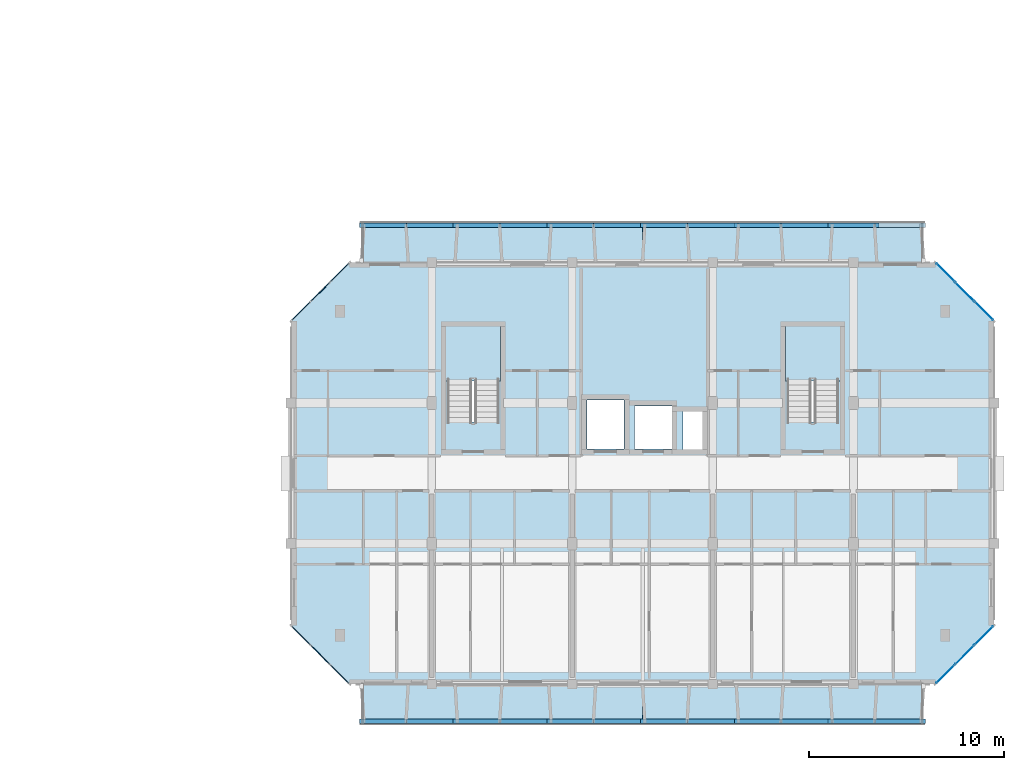
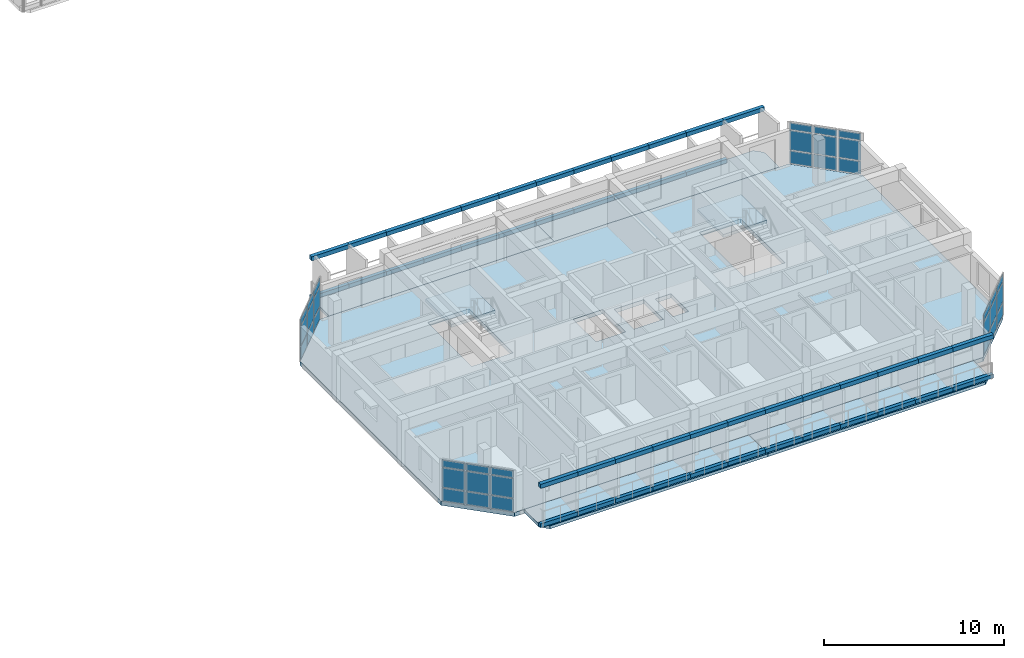
# One storey, part 13 of 45: 83 plates, 7 slabs, 6 elements without a shape of their own.
"""IFC4 building model written with IfcOpenShell, lengths in metres."""

from ifc_helpers import new_model, si_unit, direction, frame, origin, origin_2d, place, context, subcontext, project, spatial, polyline, rectangle, outline, extrude, material, layer, layer_set, type_object, element, aggregate, save


model = new_model("IFC4")

# Units and contexts
model_context = context("Model", 3, precision=1e-05, world=origin(), true_north=direction((0.0, 1.0)))
body_context = subcontext(model_context, "Body", "Model", "MODEL_VIEW")
ifc_project = project(units=[si_unit("LENGTHUNIT", "METRE"), si_unit("AREAUNIT", "SQUARE_METRE"), si_unit("VOLUMEUNIT", "CUBIC_METRE"), si_unit("PLANEANGLEUNIT", "RADIAN"), si_unit("MASSUNIT", "GRAM", prefix="KILO")], contexts=[model_context])

# Site, building, storey
site_placement = place(None, origin())
site = spatial("IfcSite", under=ifc_project, at=site_placement, CompositionType="ELEMENT")
building_placement = place(site_placement, origin())
building = spatial("IfcBuilding", under=site, at=building_placement, Name="Ochrevale Crest", CompositionType="ELEMENT")
storey_placement = place(building_placement, frame((0.0, 0.0, 18.14990234375)))
storey = spatial("IfcBuildingStorey", under=building, at=storey_placement, Name="L05", CompositionType="ELEMENT", Elevation=18.14990234375)

# Curtain wall, plates
ifc_material_1 = material(Name="Anodised aluminium 6063-T5", Category="aluminium")
ifc_layer_1 = layer(ifc_material_1, 0.14990234375)
ifc_layer_set_1 = layer_set([ifc_layer_1], Name="Anodised aluminium 6063-T5")
curtain_wall_type_1 = type_object("IfcCurtainWallType", Name="CW-WG-320x285", PredefinedType="NOTDEFINED", material=ifc_layer_set_1)
curtain_wall_1_placement = place(storey_placement, origin())
curtain_wall_1 = element("IfcCurtainWall", 1, at=curtain_wall_1_placement, inside=storey, type_object=curtain_wall_type_1, Name="Block C L05 chamfered corner wintergarden curtain wall 2", PredefinedType="NOTDEFINED")
ifc_material_2 = material(Name="Double-glazed low-E insulated glass unit", Category="glass")
ifc_layer_2 = layer(ifc_material_2, 0.028076171875)
ifc_layer_set_2 = layer_set([ifc_layer_2], Name="Double-glazed low-E insulated glass unit")
plate_type_1 = type_object("IfcPlateType", Name="CW-PNL-IGU28", PredefinedType="CURTAIN_PANEL", material=ifc_layer_set_2)
plate_1_placement = place(storey_placement, frame((163.11328125, 14.913330078125, 0.06005859375), z_axis=(0.0, 0.0, 1.0), x_axis=(0.707106781187, 0.707106781187, 0.0)))
plate_1 = element("IfcPlate", 2, at=plate_1_placement, type_object=plate_type_1, Name="CW17 panel 1.1", PredefinedType="CURTAIN_PANEL", context=body_context, shape_type="SweptSolid", body=[
    extrude(rectangle(XDim=1.3017578125, YDim=0.028076171875, at=origin_2d()), origin(), (0.0, 0.0, 1.0), 0.860107421875),
])
plate_2_placement = place(storey_placement, frame((163.11328125, 14.913330078125, 0.980224609375), z_axis=(0.0, 0.0, 1.0), x_axis=(0.707106781187, 0.707106781187, 0.0)))
plate_2 = element("IfcPlate", 3, at=plate_2_placement, type_object=plate_type_1, Name="CW17 panel 1.2", PredefinedType="CURTAIN_PANEL", context=body_context, shape_type="SweptSolid", body=[
    extrude(rectangle(XDim=1.3017578125, YDim=0.028076171875, at=origin_2d()), origin(), (0.0, 0.0, 1.0), 1.31494140625),
])
plate_3_placement = place(storey_placement, frame((163.11328125, 14.913330078125, 2.355224609375), z_axis=(0.0, 0.0, 1.0), x_axis=(0.707106781187, 0.707106781187, 0.0)))
plate_3 = element("IfcPlate", 4, at=plate_3_placement, type_object=plate_type_1, Name="CW17 panel 1.3", PredefinedType="CURTAIN_PANEL", context=body_context, shape_type="SweptSolid", body=[
    extrude(rectangle(XDim=1.3017578125, YDim=0.028076171875, at=origin_2d()), origin(), (0.0, 0.0, 1.0), 0.4599609375),
])
plate_4_placement = place(storey_placement, frame((164.10009765625, 15.89990234375, 0.06005859375), z_axis=(0.0, 0.0, 1.0), x_axis=(0.707106781187, 0.707106781187, 0.0)))
plate_4 = element("IfcPlate", 5, at=plate_4_placement, type_object=plate_type_1, Name="CW17 panel 2.1", PredefinedType="CURTAIN_PANEL", context=body_context, shape_type="SweptSolid", body=[
    extrude(rectangle(XDim=1.339111328125, YDim=0.028076171875, at=origin_2d()), origin(), (0.0, 0.0, 1.0), 0.860107421875),
])
plate_5_placement = place(storey_placement, frame((164.10009765625, 15.89990234375, 0.980224609375), z_axis=(0.0, 0.0, 1.0), x_axis=(0.707106781187, 0.707106781187, 0.0)))
plate_5 = element("IfcPlate", 6, at=plate_5_placement, type_object=plate_type_1, Name="CW17 panel 2.2", PredefinedType="CURTAIN_PANEL", context=body_context, shape_type="SweptSolid", body=[
    extrude(rectangle(XDim=1.339111328125, YDim=0.028076171875, at=origin_2d()), origin(), (0.0, 0.0, 1.0), 1.31494140625),
])
plate_6_placement = place(storey_placement, frame((164.10009765625, 15.89990234375, 2.355224609375), z_axis=(0.0, 0.0, 1.0), x_axis=(0.707106781187, 0.707106781187, 0.0)))
plate_6 = element("IfcPlate", 7, at=plate_6_placement, type_object=plate_type_1, Name="CW17 panel 2.3", PredefinedType="CURTAIN_PANEL", context=body_context, shape_type="SweptSolid", body=[
    extrude(rectangle(XDim=1.339111328125, YDim=0.028076171875, at=origin_2d()), origin(), (0.0, 0.0, 1.0), 0.4599609375),
])
plate_7_placement = place(storey_placement, frame((165.086669921875, 16.88671875, 0.06005859375), z_axis=(0.0, 0.0, 1.0), x_axis=(0.707106781187, 0.707106781187, 0.0)))
plate_7 = element("IfcPlate", 8, at=plate_7_placement, type_object=plate_type_1, Name="CW17 panel 3.1", PredefinedType="CURTAIN_PANEL", context=body_context, shape_type="SweptSolid", body=[
    extrude(rectangle(XDim=1.3017578125, YDim=0.028076171875, at=origin_2d()), origin(), (0.0, 0.0, 1.0), 0.860107421875),
])
plate_8_placement = place(storey_placement, frame((165.086669921875, 16.88671875, 0.980224609375), z_axis=(0.0, 0.0, 1.0), x_axis=(0.707106781187, 0.707106781187, 0.0)))
plate_8 = element("IfcPlate", 9, at=plate_8_placement, type_object=plate_type_1, Name="CW17 panel 3.2", PredefinedType="CURTAIN_PANEL", context=body_context, shape_type="SweptSolid", body=[
    extrude(rectangle(XDim=1.3017578125, YDim=0.028076171875, at=origin_2d()), origin(), (0.0, 0.0, 1.0), 1.31494140625),
])
plate_9_placement = place(storey_placement, frame((165.086669921875, 16.88671875, 2.355224609375), z_axis=(0.0, 0.0, 1.0), x_axis=(0.707106781187, 0.707106781187, 0.0)))
plate_9 = element("IfcPlate", 10, at=plate_9_placement, type_object=plate_type_1, Name="CW17 panel 3.3", PredefinedType="CURTAIN_PANEL", context=body_context, shape_type="SweptSolid", body=[
    extrude(rectangle(XDim=1.3017578125, YDim=0.028076171875, at=origin_2d()), origin(), (0.0, 0.0, 1.0), 0.4599609375),
])
aggregate(curtain_wall_1, [plate_1, plate_2, plate_3, plate_4, plate_5, plate_6, plate_7, plate_8, plate_9])

ifc_layer_3 = layer(ifc_material_1, 0.14990234375)
ifc_layer_set_3 = layer_set([ifc_layer_3], Name="Anodised aluminium 6063-T5")
curtain_wall_type_2 = type_object("IfcCurtainWallType", Name="CW-WG-420x285", PredefinedType="NOTDEFINED", material=ifc_layer_set_3)
curtain_wall_2_placement = place(storey_placement, origin())
curtain_wall_2 = element("IfcCurtainWall", 11, at=curtain_wall_2_placement, inside=storey, type_object=curtain_wall_type_2, Name="Block C L05 chamfered corner wintergarden curtain wall 4", PredefinedType="NOTDEFINED")
plate_10_placement = place(storey_placement, frame((165.086669921875, 33.51318359375, 0.06005859375), z_axis=(0.0, 0.0, 1.0), x_axis=(-0.707106781187, 0.707106781187, 0.0)))
plate_10 = element("IfcPlate", 12, at=plate_10_placement, type_object=plate_type_1, Name="CW22 panel 1.1", PredefinedType="CURTAIN_PANEL", context=body_context, shape_type="SweptSolid", body=[
    extrude(rectangle(XDim=1.3017578125, YDim=0.028076171875, at=origin_2d()), origin(), (0.0, 0.0, 1.0), 0.860107421875),
])
plate_11_placement = place(storey_placement, frame((165.086669921875, 33.51318359375, 0.980224609375), z_axis=(0.0, 0.0, 1.0), x_axis=(-0.707106781187, 0.707106781187, 0.0)))
plate_11 = element("IfcPlate", 13, at=plate_11_placement, type_object=plate_type_1, Name="CW22 panel 1.2", PredefinedType="CURTAIN_PANEL", context=body_context, shape_type="SweptSolid", body=[
    extrude(rectangle(XDim=1.3017578125, YDim=0.028076171875, at=origin_2d()), origin(), (0.0, 0.0, 1.0), 1.31494140625),
])
plate_12_placement = place(storey_placement, frame((165.086669921875, 33.51318359375, 2.355224609375), z_axis=(0.0, 0.0, 1.0), x_axis=(-0.707106781187, 0.707106781187, 0.0)))
plate_12 = element("IfcPlate", 14, at=plate_12_placement, type_object=plate_type_1, Name="CW22 panel 1.3", PredefinedType="CURTAIN_PANEL", context=body_context, shape_type="SweptSolid", body=[
    extrude(rectangle(XDim=1.3017578125, YDim=0.028076171875, at=origin_2d()), origin(), (0.0, 0.0, 1.0), 0.4599609375),
])
plate_13_placement = place(storey_placement, frame((164.10009765625, 34.5, 0.06005859375), z_axis=(0.0, 0.0, 1.0), x_axis=(-0.707106781187, 0.707106781187, 0.0)))
plate_13 = element("IfcPlate", 15, at=plate_13_placement, type_object=plate_type_1, Name="CW22 panel 2.1", PredefinedType="CURTAIN_PANEL", context=body_context, shape_type="SweptSolid", body=[
    extrude(rectangle(XDim=1.339111328125, YDim=0.028076171875, at=origin_2d()), origin(), (0.0, 0.0, 1.0), 0.860107421875),
])
plate_14_placement = place(storey_placement, frame((164.10009765625, 34.5, 0.980224609375), z_axis=(0.0, 0.0, 1.0), x_axis=(-0.707106781187, 0.707106781187, 0.0)))
plate_14 = element("IfcPlate", 16, at=plate_14_placement, type_object=plate_type_1, Name="CW22 panel 2.2", PredefinedType="CURTAIN_PANEL", context=body_context, shape_type="SweptSolid", body=[
    extrude(rectangle(XDim=1.339111328125, YDim=0.028076171875, at=origin_2d()), origin(), (0.0, 0.0, 1.0), 1.31494140625),
])
plate_15_placement = place(storey_placement, frame((164.10009765625, 34.5, 2.355224609375), z_axis=(0.0, 0.0, 1.0), x_axis=(-0.707106781187, 0.707106781187, 0.0)))
plate_15 = element("IfcPlate", 17, at=plate_15_placement, type_object=plate_type_1, Name="CW22 panel 2.3", PredefinedType="CURTAIN_PANEL", context=body_context, shape_type="SweptSolid", body=[
    extrude(rectangle(XDim=1.339111328125, YDim=0.028076171875, at=origin_2d()), origin(), (0.0, 0.0, 1.0), 0.4599609375),
])
plate_16_placement = place(storey_placement, frame((163.11328125, 35.48681640625, 0.06005859375), z_axis=(0.0, 0.0, 1.0), x_axis=(-0.707106781187, 0.707106781187, 0.0)))
plate_16 = element("IfcPlate", 18, at=plate_16_placement, type_object=plate_type_1, Name="CW22 panel 3.1", PredefinedType="CURTAIN_PANEL", context=body_context, shape_type="SweptSolid", body=[
    extrude(rectangle(XDim=1.3017578125, YDim=0.028076171875, at=origin_2d()), origin(), (0.0, 0.0, 1.0), 0.860107421875),
])
plate_17_placement = place(storey_placement, frame((163.11328125, 35.48681640625, 0.980224609375), z_axis=(0.0, 0.0, 1.0), x_axis=(-0.707106781187, 0.707106781187, 0.0)))
plate_17 = element("IfcPlate", 19, at=plate_17_placement, type_object=plate_type_1, Name="CW22 panel 3.2", PredefinedType="CURTAIN_PANEL", context=body_context, shape_type="SweptSolid", body=[
    extrude(rectangle(XDim=1.3017578125, YDim=0.028076171875, at=origin_2d()), origin(), (0.0, 0.0, 1.0), 1.31494140625),
])
plate_18_placement = place(storey_placement, frame((163.11328125, 35.48681640625, 2.355224609375), z_axis=(0.0, 0.0, 1.0), x_axis=(-0.707106781187, 0.707106781187, 0.0)))
plate_18 = element("IfcPlate", 20, at=plate_18_placement, type_object=plate_type_1, Name="CW22 panel 3.3", PredefinedType="CURTAIN_PANEL", context=body_context, shape_type="SweptSolid", body=[
    extrude(rectangle(XDim=1.3017578125, YDim=0.028076171875, at=origin_2d()), origin(), (0.0, 0.0, 1.0), 0.4599609375),
])
aggregate(curtain_wall_2, [plate_10, plate_11, plate_12, plate_13, plate_14, plate_15, plate_16, plate_17, plate_18])

ifc_layer_4 = layer(ifc_material_1, 0.14990234375)
ifc_layer_set_4 = layer_set([ifc_layer_4], Name="Anodised aluminium 6063-T5")
curtain_wall_type_3 = type_object("IfcCurtainWallType", Name="CW-WG-280x285", PredefinedType="NOTDEFINED", material=ifc_layer_set_4)
curtain_wall_3_placement = place(storey_placement, origin())
curtain_wall_3 = element("IfcCurtainWall", 21, at=curtain_wall_3_placement, inside=storey, type_object=curtain_wall_type_3, Name="Block C L05 chamfered corner wintergarden curtain wall 6", PredefinedType="NOTDEFINED")
ifc_material_3 = material(Name="Acoustic laminated low-E insulated glass unit", Category="glass")
ifc_layer_5 = layer(ifc_material_3, 0.0380859375)
ifc_layer_set_5 = layer_set([ifc_layer_5], Name="Acoustic laminated low-E insulated glass unit")
plate_type_2 = type_object("IfcPlateType", Name="CW-PNL-IGU38", PredefinedType="CURTAIN_PANEL", material=ifc_layer_set_5)
plate_19_placement = place(storey_placement, frame((132.086669921875, 35.48681640625, 0.06005859375), z_axis=(0.0, 0.0, 1.0), x_axis=(-0.707106781187, -0.707106781187, 0.0)))
plate_19 = element("IfcPlate", 22, at=plate_19_placement, type_object=plate_type_2, Name="CW16 panel 1.1", PredefinedType="CURTAIN_PANEL", context=body_context, shape_type="SweptSolid", body=[
    extrude(rectangle(XDim=1.3017578125, YDim=0.0380859375, at=origin_2d()), origin(), (0.0, 0.0, 1.0), 0.860107421875),
])
plate_20_placement = place(storey_placement, frame((132.086669921875, 35.48681640625, 0.980224609375), z_axis=(0.0, 0.0, 1.0), x_axis=(-0.707106781187, -0.707106781187, 0.0)))
plate_20 = element("IfcPlate", 23, at=plate_20_placement, type_object=plate_type_2, Name="CW16 panel 1.2", PredefinedType="CURTAIN_PANEL", context=body_context, shape_type="SweptSolid", body=[
    extrude(rectangle(XDim=1.3017578125, YDim=0.0380859375, at=origin_2d()), origin(), (0.0, 0.0, 1.0), 1.31494140625),
])
plate_21_placement = place(storey_placement, frame((132.086669921875, 35.48681640625, 2.355224609375), z_axis=(0.0, 0.0, 1.0), x_axis=(-0.707106781187, -0.707106781187, 0.0)))
plate_21 = element("IfcPlate", 24, at=plate_21_placement, type_object=plate_type_2, Name="CW16 panel 1.3", PredefinedType="CURTAIN_PANEL", context=body_context, shape_type="SweptSolid", body=[
    extrude(rectangle(XDim=1.3017578125, YDim=0.0380859375, at=origin_2d()), origin(), (0.0, 0.0, 1.0), 0.4599609375),
])
plate_22_placement = place(storey_placement, frame((131.10009765625, 34.5, 0.06005859375), z_axis=(0.0, 0.0, 1.0), x_axis=(-0.707106781187, -0.707106781187, 0.0)))
plate_22 = element("IfcPlate", 25, at=plate_22_placement, type_object=plate_type_2, Name="CW16 panel 2.1", PredefinedType="CURTAIN_PANEL", context=body_context, shape_type="SweptSolid", body=[
    extrude(rectangle(XDim=1.339111328125, YDim=0.0380859375, at=origin_2d()), origin(), (0.0, 0.0, 1.0), 0.860107421875),
])
plate_23_placement = place(storey_placement, frame((131.10009765625, 34.5, 0.980224609375), z_axis=(0.0, 0.0, 1.0), x_axis=(-0.707106781187, -0.707106781187, 0.0)))
plate_23 = element("IfcPlate", 26, at=plate_23_placement, type_object=plate_type_2, Name="CW16 panel 2.2", PredefinedType="CURTAIN_PANEL", context=body_context, shape_type="SweptSolid", body=[
    extrude(rectangle(XDim=1.339111328125, YDim=0.0380859375, at=origin_2d()), origin(), (0.0, 0.0, 1.0), 1.31494140625),
])
plate_24_placement = place(storey_placement, frame((131.10009765625, 34.5, 2.355224609375), z_axis=(0.0, 0.0, 1.0), x_axis=(-0.707106781187, -0.707106781187, 0.0)))
plate_24 = element("IfcPlate", 27, at=plate_24_placement, type_object=plate_type_2, Name="CW16 panel 2.3", PredefinedType="CURTAIN_PANEL", context=body_context, shape_type="SweptSolid", body=[
    extrude(rectangle(XDim=1.339111328125, YDim=0.0380859375, at=origin_2d()), origin(), (0.0, 0.0, 1.0), 0.4599609375),
])
plate_25_placement = place(storey_placement, frame((130.11328125, 33.51318359375, 0.06005859375), z_axis=(0.0, 0.0, 1.0), x_axis=(-0.707106781187, -0.707106781187, 0.0)))
plate_25 = element("IfcPlate", 28, at=plate_25_placement, type_object=plate_type_2, Name="CW16 panel 3.1", PredefinedType="CURTAIN_PANEL", context=body_context, shape_type="SweptSolid", body=[
    extrude(rectangle(XDim=1.3017578125, YDim=0.0380859375, at=origin_2d()), origin(), (0.0, 0.0, 1.0), 0.860107421875),
])
plate_26_placement = place(storey_placement, frame((130.11328125, 33.51318359375, 0.980224609375), z_axis=(0.0, 0.0, 1.0), x_axis=(-0.707106781187, -0.707106781187, 0.0)))
plate_26 = element("IfcPlate", 29, at=plate_26_placement, type_object=plate_type_2, Name="CW16 panel 3.2", PredefinedType="CURTAIN_PANEL", context=body_context, shape_type="SweptSolid", body=[
    extrude(rectangle(XDim=1.3017578125, YDim=0.0380859375, at=origin_2d()), origin(), (0.0, 0.0, 1.0), 1.31494140625),
])
plate_27_placement = place(storey_placement, frame((130.11328125, 33.51318359375, 2.355224609375), z_axis=(0.0, 0.0, 1.0), x_axis=(-0.707106781187, -0.707106781187, 0.0)))
plate_27 = element("IfcPlate", 30, at=plate_27_placement, type_object=plate_type_2, Name="CW16 panel 3.3", PredefinedType="CURTAIN_PANEL", context=body_context, shape_type="SweptSolid", body=[
    extrude(rectangle(XDim=1.3017578125, YDim=0.0380859375, at=origin_2d()), origin(), (0.0, 0.0, 1.0), 0.4599609375),
])
aggregate(curtain_wall_3, [plate_19, plate_20, plate_21, plate_22, plate_23, plate_24, plate_25, plate_26, plate_27])

ifc_layer_6 = layer(ifc_material_1, 0.14990234375)
ifc_layer_set_6 = layer_set([ifc_layer_6], Name="Anodised aluminium 6063-T5")
curtain_wall_type_4 = type_object("IfcCurtainWallType", Name="CW-WG-360x285", PredefinedType="NOTDEFINED", material=ifc_layer_set_6)
curtain_wall_4_placement = place(storey_placement, origin())
curtain_wall_4 = element("IfcCurtainWall", 31, at=curtain_wall_4_placement, inside=storey, type_object=curtain_wall_type_4, Name="Block C L05 chamfered corner wintergarden curtain wall 8", PredefinedType="NOTDEFINED")
plate_28_placement = place(storey_placement, frame((130.11328125, 16.88671875, 0.06005859375), z_axis=(0.0, 0.0, 1.0), x_axis=(0.707106781187, -0.707106781187, 0.0)))
plate_28 = element("IfcPlate", 32, at=plate_28_placement, type_object=plate_type_2, Name="CW18 panel 1.1", PredefinedType="CURTAIN_PANEL", context=body_context, shape_type="SweptSolid", body=[
    extrude(rectangle(XDim=1.3017578125, YDim=0.0380859375, at=origin_2d()), origin(), (0.0, 0.0, 1.0), 0.860107421875),
])
plate_29_placement = place(storey_placement, frame((130.11328125, 16.88671875, 0.980224609375), z_axis=(0.0, 0.0, 1.0), x_axis=(0.707106781187, -0.707106781187, 0.0)))
plate_29 = element("IfcPlate", 33, at=plate_29_placement, type_object=plate_type_2, Name="CW18 panel 1.2", PredefinedType="CURTAIN_PANEL", context=body_context, shape_type="SweptSolid", body=[
    extrude(rectangle(XDim=1.3017578125, YDim=0.0380859375, at=origin_2d()), origin(), (0.0, 0.0, 1.0), 1.31494140625),
])
plate_30_placement = place(storey_placement, frame((130.11328125, 16.88671875, 2.355224609375), z_axis=(0.0, 0.0, 1.0), x_axis=(0.707106781187, -0.707106781187, 0.0)))
plate_30 = element("IfcPlate", 34, at=plate_30_placement, type_object=plate_type_2, Name="CW18 panel 1.3", PredefinedType="CURTAIN_PANEL", context=body_context, shape_type="SweptSolid", body=[
    extrude(rectangle(XDim=1.3017578125, YDim=0.0380859375, at=origin_2d()), origin(), (0.0, 0.0, 1.0), 0.4599609375),
])
plate_31_placement = place(storey_placement, frame((131.10009765625, 15.89990234375, 0.06005859375), z_axis=(0.0, 0.0, 1.0), x_axis=(0.707106781187, -0.707106781187, 0.0)))
plate_31 = element("IfcPlate", 35, at=plate_31_placement, type_object=plate_type_2, Name="CW18 panel 2.1", PredefinedType="CURTAIN_PANEL", context=body_context, shape_type="SweptSolid", body=[
    extrude(rectangle(XDim=1.339111328125, YDim=0.0380859375, at=origin_2d()), origin(), (0.0, 0.0, 1.0), 0.860107421875),
])
plate_32_placement = place(storey_placement, frame((131.10009765625, 15.89990234375, 0.980224609375), z_axis=(0.0, 0.0, 1.0), x_axis=(0.707106781187, -0.707106781187, 0.0)))
plate_32 = element("IfcPlate", 36, at=plate_32_placement, type_object=plate_type_2, Name="CW18 panel 2.2", PredefinedType="CURTAIN_PANEL", context=body_context, shape_type="SweptSolid", body=[
    extrude(rectangle(XDim=1.339111328125, YDim=0.0380859375, at=origin_2d()), origin(), (0.0, 0.0, 1.0), 1.31494140625),
])
plate_33_placement = place(storey_placement, frame((131.10009765625, 15.89990234375, 2.355224609375), z_axis=(0.0, 0.0, 1.0), x_axis=(0.707106781187, -0.707106781187, 0.0)))
plate_33 = element("IfcPlate", 37, at=plate_33_placement, type_object=plate_type_2, Name="CW18 panel 2.3", PredefinedType="CURTAIN_PANEL", context=body_context, shape_type="SweptSolid", body=[
    extrude(rectangle(XDim=1.339111328125, YDim=0.0380859375, at=origin_2d()), origin(), (0.0, 0.0, 1.0), 0.4599609375),
])
plate_34_placement = place(storey_placement, frame((132.086669921875, 14.913330078125, 0.06005859375), z_axis=(0.0, 0.0, 1.0), x_axis=(0.707106781187, -0.707106781187, 0.0)))
plate_34 = element("IfcPlate", 38, at=plate_34_placement, type_object=plate_type_2, Name="CW18 panel 3.1", PredefinedType="CURTAIN_PANEL", context=body_context, shape_type="SweptSolid", body=[
    extrude(rectangle(XDim=1.3017578125, YDim=0.0380859375, at=origin_2d()), origin(), (0.0, 0.0, 1.0), 0.860107421875),
])
plate_35_placement = place(storey_placement, frame((132.086669921875, 14.913330078125, 0.980224609375), z_axis=(0.0, 0.0, 1.0), x_axis=(0.707106781187, -0.707106781187, 0.0)))
plate_35 = element("IfcPlate", 39, at=plate_35_placement, type_object=plate_type_2, Name="CW18 panel 3.2", PredefinedType="CURTAIN_PANEL", context=body_context, shape_type="SweptSolid", body=[
    extrude(rectangle(XDim=1.3017578125, YDim=0.0380859375, at=origin_2d()), origin(), (0.0, 0.0, 1.0), 1.31494140625),
])
plate_36_placement = place(storey_placement, frame((132.086669921875, 14.913330078125, 2.355224609375), z_axis=(0.0, 0.0, 1.0), x_axis=(0.707106781187, -0.707106781187, 0.0)))
plate_36 = element("IfcPlate", 40, at=plate_36_placement, type_object=plate_type_2, Name="CW18 panel 3.3", PredefinedType="CURTAIN_PANEL", context=body_context, shape_type="SweptSolid", body=[
    extrude(rectangle(XDim=1.3017578125, YDim=0.0380859375, at=origin_2d()), origin(), (0.0, 0.0, 1.0), 0.4599609375),
])
aggregate(curtain_wall_4, [plate_28, plate_29, plate_30, plate_31, plate_32, plate_33, plate_34, plate_35, plate_36])

# Plates
ifc_material_4 = material(Name="Precast concrete C40/50", Category="concrete")
ifc_layer_7 = layer(ifc_material_4, 0.06005859375)
ifc_layer_set_7 = layer_set([ifc_layer_7], Name="Precast concrete C40/50")
plate_type_3 = type_object("IfcPlateType", Name="PLT-HC-HEAD-60", PredefinedType="USERDEFINED", material=ifc_layer_set_7)
for number, where, z_axis, x_axis, name in (
    (41, (134.39990234375, 12.5, 2.669921875), (0.0, 0.0, 1.0), (1.0, 0.0, 0.0), "Block C L05 S honeycomb arched lintel fascia 1"),
    (42, (136.800048828125, 12.5, 2.669921875), (0.0, 0.0, 1.0), (1.0, 0.0, 0.0), "Block C L05 S honeycomb arched lintel fascia 2"),
    (43, (139.199951171875, 12.5, 2.669921875), (0.0, 0.0, 1.0), (1.0, 0.0, 0.0), "Block C L05 S honeycomb arched lintel fascia 3"),
    (44, (141.60009765625, 12.5, 2.669921875), (0.0, 0.0, 1.0), (1.0, 0.0, 0.0), "Block C L05 S honeycomb arched lintel fascia 4"),
    (45, (144.0, 12.5, 2.669921875), (0.0, 0.0, 1.0), (1.0, 0.0, 0.0), "Block C L05 S honeycomb arched lintel fascia 5"),
    (46, (146.39990234375, 12.5, 2.669921875), (0.0, 0.0, 1.0), (1.0, 0.0, 0.0), "Block C L05 S honeycomb arched lintel fascia 6"),
    (47, (148.800048828125, 12.5, 2.669921875), (0.0, 0.0, 1.0), (1.0, 0.0, 0.0), "Block C L05 S honeycomb arched lintel fascia 7"),
    (48, (151.199951171875, 12.5, 2.669921875), (0.0, 0.0, 1.0), (1.0, 0.0, 0.0), "Block C L05 S honeycomb arched lintel fascia 8"),
    (49, (153.60009765625, 12.5, 2.669921875), (0.0, 0.0, 1.0), (1.0, 0.0, 0.0), "Block C L05 S honeycomb arched lintel fascia 9"),
    (50, (156.0, 12.5, 2.669921875), (0.0, 0.0, 1.0), (1.0, 0.0, 0.0), "Block C L05 S honeycomb arched lintel fascia 10"),
    (51, (158.39990234375, 12.5, 2.669921875), (0.0, 0.0, 1.0), (1.0, 0.0, 0.0), "Block C L05 S honeycomb arched lintel fascia 11"),
    (52, (160.800048828125, 12.5, 2.669921875), (0.0, 0.0, 1.0), (1.0, 0.0, 0.0), "Block C L05 S honeycomb arched lintel fascia 12"),
    (53, (134.39990234375, 37.89990234375, 2.669921875), (0.0, 0.0, 1.0), (1.0, 0.0, 0.0), "Block C L05 N honeycomb arched lintel fascia 1"),
    (54, (136.800048828125, 37.89990234375, 2.669921875), (0.0, 0.0, 1.0), (1.0, 0.0, 0.0), "Block C L05 N honeycomb arched lintel fascia 2"),
    (55, (139.199951171875, 37.89990234375, 2.669921875), (0.0, 0.0, 1.0), (1.0, 0.0, 0.0), "Block C L05 N honeycomb arched lintel fascia 3"),
    (56, (141.60009765625, 37.89990234375, 2.669921875), (0.0, 0.0, 1.0), (1.0, 0.0, 0.0), "Block C L05 N honeycomb arched lintel fascia 4"),
    (57, (144.0, 37.89990234375, 2.669921875), (0.0, 0.0, 1.0), (1.0, 0.0, 0.0), "Block C L05 N honeycomb arched lintel fascia 5"),
    (58, (146.39990234375, 37.89990234375, 2.669921875), (0.0, 0.0, 1.0), (1.0, 0.0, 0.0), "Block C L05 N honeycomb arched lintel fascia 6"),
    (59, (148.800048828125, 37.89990234375, 2.669921875), (0.0, 0.0, 1.0), (1.0, 0.0, 0.0), "Block C L05 N honeycomb arched lintel fascia 7"),
    (60, (151.199951171875, 37.89990234375, 2.669921875), (0.0, 0.0, 1.0), (1.0, 0.0, 0.0), "Block C L05 N honeycomb arched lintel fascia 8"),
    (61, (153.60009765625, 37.89990234375, 2.669921875), (0.0, 0.0, 1.0), (1.0, 0.0, 0.0), "Block C L05 N honeycomb arched lintel fascia 9"),
    (62, (156.0, 37.89990234375, 2.669921875), (0.0, 0.0, 1.0), (1.0, 0.0, 0.0), "Block C L05 N honeycomb arched lintel fascia 10"),
    (63, (158.39990234375, 37.89990234375, 2.669921875), (0.0, 0.0, 1.0), (1.0, 0.0, 0.0), "Block C L05 N honeycomb arched lintel fascia 11"),
    (64, (160.800048828125, 37.89990234375, 2.669921875), (0.0, 0.0, 1.0), (1.0, 0.0, 0.0), "Block C L05 N honeycomb arched lintel fascia 12"),
):
    element("IfcPlate", number, at=place(storey_placement, frame(where, z_axis=z_axis, x_axis=x_axis)), inside=storey, type_object=plate_type_3, Name=name, ObjectType="FACADE FASCIA PLATE", PredefinedType="USERDEFINED", context=body_context, shape_type="SweptSolid", body=[
        extrude(rectangle(XDim=2.60009765625, YDim=0.239990234375, at=origin_2d()), origin(), (0.0, 0.0, 1.0), 0.280029296875),
    ])
ifc_layer_8 = layer(ifc_material_4, 0.044921875)
ifc_layer_set_8 = layer_set([ifc_layer_8], Name="Precast concrete C40/50")
plate_type_4 = type_object("IfcPlateType", Name="PLT-HC-SILL-45", PredefinedType="USERDEFINED", material=ifc_layer_set_8)
for number, where, z_axis, x_axis, name in (
    (65, (134.39990234375, 12.5, 0.0), (0.0, 0.0, 1.0), (1.0, 0.0, 0.0), "Block C L05 S honeycomb sill coping plate 1"),
    (66, (136.800048828125, 12.5, 0.0), (0.0, 0.0, 1.0), (1.0, 0.0, 0.0), "Block C L05 S honeycomb sill coping plate 2"),
    (67, (139.199951171875, 12.5, 0.0), (0.0, 0.0, 1.0), (1.0, 0.0, 0.0), "Block C L05 S honeycomb sill coping plate 3"),
    (68, (141.60009765625, 12.5, 0.0), (0.0, 0.0, 1.0), (1.0, 0.0, 0.0), "Block C L05 S honeycomb sill coping plate 4"),
    (69, (144.0, 12.5, 0.0), (0.0, 0.0, 1.0), (1.0, 0.0, 0.0), "Block C L05 S honeycomb sill coping plate 5"),
    (70, (146.39990234375, 12.5, 0.0), (0.0, 0.0, 1.0), (1.0, 0.0, 0.0), "Block C L05 S honeycomb sill coping plate 6"),
    (71, (148.800048828125, 12.5, 0.0), (0.0, 0.0, 1.0), (1.0, 0.0, 0.0), "Block C L05 S honeycomb sill coping plate 7"),
    (72, (151.199951171875, 12.5, 0.0), (0.0, 0.0, 1.0), (1.0, 0.0, 0.0), "Block C L05 S honeycomb sill coping plate 8"),
    (73, (153.60009765625, 12.5, 0.0), (0.0, 0.0, 1.0), (1.0, 0.0, 0.0), "Block C L05 S honeycomb sill coping plate 9"),
    (74, (156.0, 12.5, 0.0), (0.0, 0.0, 1.0), (1.0, 0.0, 0.0), "Block C L05 S honeycomb sill coping plate 10"),
    (75, (158.39990234375, 12.5, 0.0), (0.0, 0.0, 1.0), (1.0, 0.0, 0.0), "Block C L05 S honeycomb sill coping plate 11"),
    (76, (160.800048828125, 12.5, 0.0), (0.0, 0.0, 1.0), (1.0, 0.0, 0.0), "Block C L05 S honeycomb sill coping plate 12"),
    (77, (134.39990234375, 37.89990234375, 0.0), (0.0, 0.0, 1.0), (1.0, 0.0, 0.0), "Block C L05 N honeycomb sill coping plate 1"),
    (78, (136.800048828125, 37.89990234375, 0.0), (0.0, 0.0, 1.0), (1.0, 0.0, 0.0), "Block C L05 N honeycomb sill coping plate 2"),
    (79, (139.199951171875, 37.89990234375, 0.0), (0.0, 0.0, 1.0), (1.0, 0.0, 0.0), "Block C L05 N honeycomb sill coping plate 3"),
    (80, (141.60009765625, 37.89990234375, 0.0), (0.0, 0.0, 1.0), (1.0, 0.0, 0.0), "Block C L05 N honeycomb sill coping plate 4"),
    (81, (144.0, 37.89990234375, 0.0), (0.0, 0.0, 1.0), (1.0, 0.0, 0.0), "Block C L05 N honeycomb sill coping plate 5"),
    (82, (146.39990234375, 37.89990234375, 0.0), (0.0, 0.0, 1.0), (1.0, 0.0, 0.0), "Block C L05 N honeycomb sill coping plate 6"),
    (83, (148.800048828125, 37.89990234375, 0.0), (0.0, 0.0, 1.0), (1.0, 0.0, 0.0), "Block C L05 N honeycomb sill coping plate 7"),
    (84, (151.199951171875, 37.89990234375, 0.0), (0.0, 0.0, 1.0), (1.0, 0.0, 0.0), "Block C L05 N honeycomb sill coping plate 8"),
    (85, (153.60009765625, 37.89990234375, 0.0), (0.0, 0.0, 1.0), (1.0, 0.0, 0.0), "Block C L05 N honeycomb sill coping plate 9"),
    (86, (156.0, 37.89990234375, 0.0), (0.0, 0.0, 1.0), (1.0, 0.0, 0.0), "Block C L05 N honeycomb sill coping plate 10"),
    (87, (158.39990234375, 37.89990234375, 0.0), (0.0, 0.0, 1.0), (1.0, 0.0, 0.0), "Block C L05 N honeycomb sill coping plate 11"),
):
    element("IfcPlate", number, at=place(storey_placement, frame(where, z_axis=z_axis, x_axis=x_axis)), inside=storey, type_object=plate_type_4, Name=name, ObjectType="SILL COPING PLATE", PredefinedType="USERDEFINED", context=body_context, shape_type="SweptSolid", body=[
        extrude(rectangle(XDim=2.60009765625, YDim=0.219970703125, at=origin_2d()), origin(), (0.0, 0.0, 1.0), 0.260009765625),
    ])

# Slabs
ifc_layer_9 = layer(ifc_material_4, 0.199951171875)
ifc_layer_set_9 = layer_set([ifc_layer_9], Name="Precast concrete C40/50")
slab_type_1 = type_object("IfcSlabType", Name="SLB-BAL-200", PredefinedType="FLOOR", material=ifc_layer_set_9)
slab_1_placement = place(storey_placement, frame((0.0, 0.0, -0.199951171875)))
element("IfcSlab", 88, at=slab_1_placement, inside=storey, type_object=slab_type_1, Name="Block C L05 S1 precast loggia balcony slab", PredefinedType="FLOOR", context=body_context, shape_type="SweptSolid", body=[
    extrude(outline(polyline([(133.64990234375, 12.300048828125), (147.60009765625, 12.300048828125), (147.60009765625, 14.39990234375), (133.199951171875, 14.39990234375), (133.199951171875, 12.75), (133.64990234375, 12.300048828125)])), origin(), (0.0, 0.0, 1.0), 0.199951171875),
])
slab_2_placement = place(storey_placement, frame((0.0, 0.0, -0.199951171875)))
element("IfcSlab", 89, at=slab_2_placement, inside=storey, type_object=slab_type_1, Name="Block C L05 S2 precast loggia balcony slab", PredefinedType="FLOOR", context=body_context, shape_type="SweptSolid", body=[
    extrude(outline(polyline([(147.60009765625, 12.300048828125), (161.550048828125, 12.300048828125), (162.0, 12.75), (162.0, 14.39990234375), (147.60009765625, 14.39990234375), (147.60009765625, 12.300048828125)])), origin(), (0.0, 0.0, 1.0), 0.199951171875),
])
slab_3_placement = place(storey_placement, frame((0.0, 0.0, -0.199951171875)))
element("IfcSlab", 90, at=slab_3_placement, inside=storey, type_object=slab_type_1, Name="Block C L05 N1 precast loggia balcony slab", PredefinedType="FLOOR", context=body_context, shape_type="SweptSolid", body=[
    extrude(outline(polyline([(133.199951171875, 36.0), (147.60009765625, 36.0), (147.60009765625, 38.10009765625), (133.64990234375, 38.10009765625), (133.199951171875, 37.64990234375), (133.199951171875, 36.0)])), origin(), (0.0, 0.0, 1.0), 0.199951171875),
])
slab_4_placement = place(storey_placement, frame((0.0, 0.0, -0.199951171875)))
element("IfcSlab", 91, at=slab_4_placement, inside=storey, type_object=slab_type_1, Name="Block C L05 N2 precast loggia balcony slab", PredefinedType="FLOOR", context=body_context, shape_type="SweptSolid", body=[
    extrude(outline(polyline([(147.60009765625, 36.0), (162.0, 36.0), (162.0, 37.64990234375), (161.550048828125, 38.10009765625), (147.60009765625, 38.10009765625), (147.60009765625, 36.0)])), origin(), (0.0, 0.0, 1.0), 0.199951171875),
])
ifc_layer_10 = layer(ifc_material_4, 0.27490234375)
ifc_layer_set_10 = layer_set([ifc_layer_10], Name="Precast concrete C40/50")
slab_type_2 = type_object("IfcSlabType", Name="SLB-RES-275", PredefinedType="FLOOR", material=ifc_layer_set_10)
slab_5_placement = place(storey_placement, frame((0.0, 0.0, -0.27490234375)))
element("IfcSlab", 92, at=slab_5_placement, inside=storey, type_object=slab_type_2, Name="Block C L05 composite hollowcore floor slab", PredefinedType="FLOOR", context=body_context, shape_type="SweptSolid", body=[
    extrude(outline(polyline([(132.60009765625, 14.39990234375), (162.60009765625, 14.39990234375), (165.60009765625, 17.39990234375), (165.60009765625, 33.0), (162.60009765625, 36.0), (132.60009765625, 36.0), (129.60009765625, 33.0), (129.60009765625, 17.39990234375), (132.60009765625, 14.39990234375)]), holes=[polyline([(140.25, 27.824951171875), (140.25, 32.72509765625), (137.60009765625, 32.72509765625), (137.60009765625, 27.824951171875), (140.25, 27.824951171875)]), polyline([(157.64990234375, 27.824951171875), (157.64990234375, 32.72509765625), (155.0, 32.72509765625), (155.0, 27.824951171875), (157.64990234375, 27.824951171875)]), polyline([(144.75, 26.449951171875), (146.64990234375, 26.449951171875), (146.64990234375, 28.949951171875), (144.75, 28.949951171875), (144.75, 26.449951171875)]), polyline([(147.199951171875, 26.449951171875), (149.10009765625, 26.449951171875), (149.10009765625, 28.64990234375), (147.199951171875, 28.64990234375), (147.199951171875, 26.449951171875)]), polyline([(149.669921875, 26.419921875), (150.679931640625, 26.419921875), (150.679931640625, 28.3798828125), (149.669921875, 28.3798828125), (149.669921875, 26.419921875)])]), origin(), (0.0, 0.0, 1.0), 0.27490234375),
])

# Stair, slab
stair_type = type_object("IfcStairType", Name="ST-CORE-DOG", PredefinedType="HALF_TURN_STAIR", material=ifc_material_4)
stair_1_placement = place(storey_placement, origin())
stair_1 = element("IfcStair", 93, at=stair_1_placement, inside=storey, type_object=stair_type, Name="L05 Block C Fire Stair 1", PredefinedType="HALF_TURN_STAIR")
ifc_layer_11 = layer(ifc_material_4, 0.199951171875)
ifc_layer_set_11 = layer_set([ifc_layer_11], Name="Precast concrete C40/50")
slab_type_3 = type_object("IfcSlabType", Name="SLB-ST-LAND", PredefinedType="LANDING", material=ifc_layer_set_11)
slab_6_placement = place(storey_placement, frame((0.0, 0.0, 1.375)))
slab_6 = element("IfcSlab", 94, at=slab_6_placement, type_object=slab_type_3, Name="ST-C1 landing 1", PredefinedType="LANDING", context=body_context, shape_type="SweptSolid", body=[
    extrude(outline(polyline([(140.330078125, 29.93505859375), (140.330078125, 32.804931640625), (137.52001953125, 32.804931640625), (137.52001953125, 29.93505859375), (140.330078125, 29.93505859375)])), origin(), (0.0, 0.0, 1.0), 0.2001953125),
])
aggregate(stair_1, [slab_6])

stair_2_placement = place(storey_placement, origin())
stair_2 = element("IfcStair", 95, at=stair_2_placement, inside=storey, type_object=stair_type, Name="L05 Block C Fire Stair 2", PredefinedType="HALF_TURN_STAIR")
slab_7_placement = place(storey_placement, frame((0.0, 0.0, 1.375)))
slab_7 = element("IfcSlab", 96, at=slab_7_placement, type_object=slab_type_3, Name="ST-C2 landing 1", PredefinedType="LANDING", context=body_context, shape_type="SweptSolid", body=[
    extrude(outline(polyline([(157.72998046875, 29.93505859375), (157.72998046875, 32.804931640625), (154.919921875, 32.804931640625), (154.919921875, 29.93505859375), (157.72998046875, 29.93505859375)])), origin(), (0.0, 0.0, 1.0), 0.2001953125),
])
aggregate(stair_2, [slab_7])

save(model, "model.ifc")
